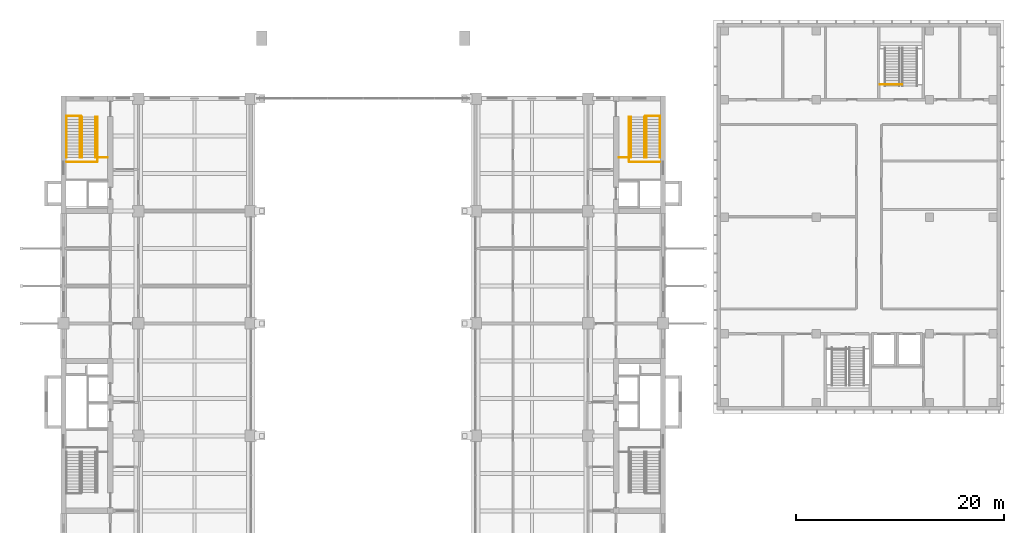
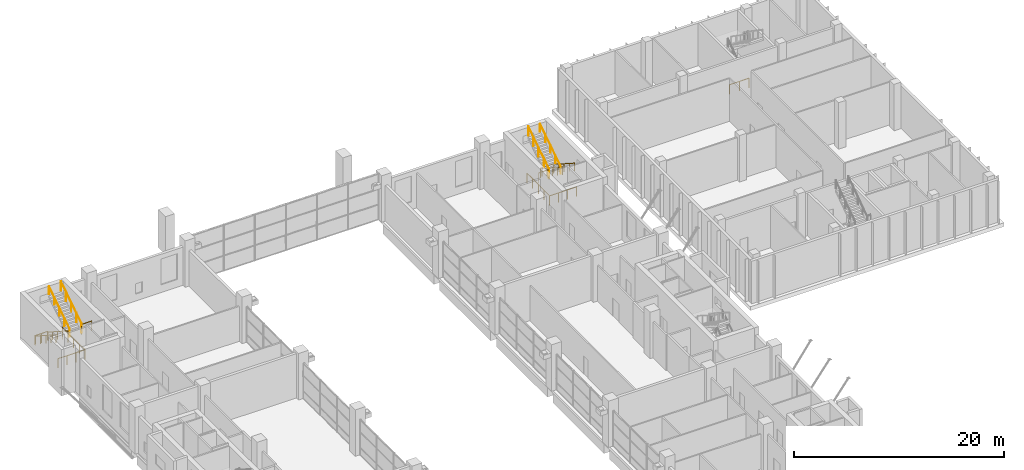
# One storey, part 37 of 38: 15 railings.
"""IFC4 building model written with IfcOpenShell, lengths in metres."""

from ifc_helpers import new_model, si_unit, direction, frame, origin, origin_2d, place, context, subcontext, project, spatial, circle, extrude, material, type_object, element, save


model = new_model("IFC4")

# Units and contexts
model_context = context("Model", 3, precision=1e-05, world=origin(), true_north=direction((0.0, 1.0)))
body_context = subcontext(model_context, "Body", "Model", "MODEL_VIEW")
ifc_project = project(units=[si_unit("LENGTHUNIT", "METRE"), si_unit("AREAUNIT", "SQUARE_METRE"), si_unit("VOLUMEUNIT", "CUBIC_METRE"), si_unit("PLANEANGLEUNIT", "RADIAN"), si_unit("MASSUNIT", "GRAM", prefix="KILO")], contexts=[model_context])

# Site, building, storey
site_placement = place(None, origin())
site = spatial("IfcSite", under=ifc_project, at=site_placement, CompositionType="ELEMENT")
building_placement = place(site_placement, origin())
building = spatial("IfcBuilding", under=site, at=building_placement, Name="Basin Gate Institute", CompositionType="ELEMENT")
storey_placement = place(building_placement, frame((0.0, 0.0, 16.800048828125)))
storey = spatial("IfcBuildingStorey", under=building, at=storey_placement, Name="L03", CompositionType="ELEMENT", Elevation=16.800048828125)

# Railings
ifc_material_1 = material(Name="Stainless steel tube and glass infill", Category="steel")
railing_type_1 = type_object("IfcRailingType", Name="Block railing 1100", PredefinedType="GUARDRAIL", material=ifc_material_1)
railing_1_placement = place(storey_placement, frame((139.625, 101.2451171875, 0.0)))
element("IfcRailing", 1, at=railing_1_placement, inside=storey, type_object=railing_type_1, material=ifc_material_1, Name="Guard stairwell ST-C7 L03", PredefinedType="GUARDRAIL", context=body_context, shape_type="SweptSolid", body=[
    extrude(circle(Radius=0.02392578125, at=origin_2d()), frame((0.0, 0.0, 1.076171875), z_axis=(1.0, 0.0, 0.0), x_axis=(0.0, 1.0, 0.0)), (0.0, 0.0, 1.0), 2.125),
    extrude(circle(Radius=0.02099609375, at=origin_2d()), origin(), (0.0, 0.0, 1.0), 1.052001953125),
    extrude(circle(Radius=0.02099609375, at=origin_2d()), frame((1.0625, 0.0, 0.0)), (0.0, 0.0, 1.0), 1.052001953125),
    extrude(circle(Radius=0.02099609375, at=origin_2d()), frame((2.125, 0.0, 0.0)), (0.0, 0.0, 1.0), 1.052001953125),
])
ifc_material_2 = material(Name="Stainless steel", Category="steel")
railing_type_2 = type_object("IfcRailingType", Name="Stair guard GR1", PredefinedType="GUARDRAIL", material=ifc_material_2)
railing_2_placement = place(storey_placement, frame((64.449951171875, 98.14990234375, 0.0)))
element("IfcRailing", 2, at=railing_2_placement, inside=storey, type_object=railing_type_2, material=ifc_material_2, Name="Stair guard GR1 WN GD3-L02", PredefinedType="GUARDRAIL", context=body_context, shape_type="SweptSolid", body=[
    extrude(circle(Radius=0.02392578125, at=origin_2d()), frame((0.0, 0.0, 1.076171875), z_axis=(0.0, -1.0, 0.0), x_axis=(1.0, 0.0, 0.0)), (0.0, 0.0, 1.0), 4.31982421875),
    extrude(circle(Radius=0.02392578125, at=origin_2d()), frame((0.0, -4.31982421875, 1.076171875), z_axis=(-1.0, 0.0, 0.0), x_axis=(0.0, -1.0, 0.0)), (0.0, 0.0, 1.0), 2.949951171875),
    extrude(circle(Radius=0.02099609375, at=origin_2d()), origin(), (0.0, 0.0, 1.0), 1.052001953125),
    extrude(circle(Radius=0.02099609375, at=origin_2d()), frame((0.0, -1.080078125, 0.0)), (0.0, 0.0, 1.0), 1.052001953125),
    extrude(circle(Radius=0.02099609375, at=origin_2d()), frame((0.0, -2.159912109375, 0.0)), (0.0, 0.0, 1.0), 1.052001953125),
    extrude(circle(Radius=0.02099609375, at=origin_2d()), frame((0.0, -3.23974609375, 0.0)), (0.0, 0.0, 1.0), 1.052001953125),
    extrude(circle(Radius=0.02099609375, at=origin_2d()), frame((0.0, -4.31982421875, 0.0)), (0.0, 0.0, 1.0), 1.052001953125),
    extrude(circle(Radius=0.02099609375, at=origin_2d()), frame((-0.9833984375, -4.31982421875, 0.0)), (0.0, 0.0, 1.0), 1.052001953125),
    extrude(circle(Radius=0.02099609375, at=origin_2d()), frame((-1.966552734375, -4.31982421875, 0.0)), (0.0, 0.0, 1.0), 1.052001953125),
    extrude(circle(Radius=0.02099609375, at=origin_2d()), frame((-2.949951171875, -4.31982421875, 0.0)), (0.0, 0.0, 1.0), 1.052001953125),
])
railing_3_placement = place(storey_placement, frame((61.5, 98.22998046875, 0.0)))
element("IfcRailing", 3, at=railing_3_placement, inside=storey, type_object=railing_type_2, material=ifc_material_2, Name="Stair guard GR1 WN GD4-L02", PredefinedType="GUARDRAIL", context=body_context, shape_type="SweptSolid", body=[
    extrude(circle(Radius=0.02392578125, at=origin_2d()), frame((0.0, 0.0, 1.076171875), z_axis=(1.0, 0.0, 0.0), x_axis=(0.0, 1.0, 0.0)), (0.0, 0.0, 1.0), 1.39990234375),
    extrude(circle(Radius=0.02099609375, at=origin_2d()), origin(), (0.0, 0.0, 1.0), 1.052001953125),
    extrude(circle(Radius=0.02099609375, at=origin_2d()), frame((0.699951171875, 0.0, 0.0)), (0.0, 0.0, 1.0), 1.052001953125),
    extrude(circle(Radius=0.02099609375, at=origin_2d()), frame((1.39990234375, 0.0, 0.0)), (0.0, 0.0, 1.0), 1.052001953125),
])
railing_4_placement = place(storey_placement, frame((115.550048828125, 98.14990234375, 0.0)))
element("IfcRailing", 4, at=railing_4_placement, inside=storey, type_object=railing_type_2, material=ifc_material_2, Name="Stair guard GR1 EN GD3-L02", PredefinedType="GUARDRAIL", context=body_context, shape_type="SweptSolid", body=[
    extrude(circle(Radius=0.02392578125, at=origin_2d()), frame((0.0, 0.0, 1.076171875), z_axis=(0.0, -1.0, 0.0), x_axis=(1.0, 0.0, 0.0)), (0.0, 0.0, 1.0), 4.31982421875),
    extrude(circle(Radius=0.02392578125, at=origin_2d()), frame((0.0, -4.31982421875, 1.076171875), z_axis=(1.0, 0.0, 0.0), x_axis=(0.0, 1.0, 0.0)), (0.0, 0.0, 1.0), 2.949951171875),
    extrude(circle(Radius=0.02099609375, at=origin_2d()), origin(), (0.0, 0.0, 1.0), 1.052001953125),
    extrude(circle(Radius=0.02099609375, at=origin_2d()), frame((0.0, -1.080078125, 0.0)), (0.0, 0.0, 1.0), 1.052001953125),
    extrude(circle(Radius=0.02099609375, at=origin_2d()), frame((0.0, -2.159912109375, 0.0)), (0.0, 0.0, 1.0), 1.052001953125),
    extrude(circle(Radius=0.02099609375, at=origin_2d()), frame((0.0, -3.23974609375, 0.0)), (0.0, 0.0, 1.0), 1.052001953125),
    extrude(circle(Radius=0.02099609375, at=origin_2d()), frame((0.0, -4.31982421875, 0.0)), (0.0, 0.0, 1.0), 1.052001953125),
    extrude(circle(Radius=0.02099609375, at=origin_2d()), frame((0.9833984375, -4.31982421875, 0.0)), (0.0, 0.0, 1.0), 1.052001953125),
    extrude(circle(Radius=0.02099609375, at=origin_2d()), frame((1.966552734375, -4.31982421875, 0.0)), (0.0, 0.0, 1.0), 1.052001953125),
    extrude(circle(Radius=0.02099609375, at=origin_2d()), frame((2.949951171875, -4.31982421875, 0.0)), (0.0, 0.0, 1.0), 1.052001953125),
])
railing_5_placement = place(storey_placement, frame((118.5, 98.22998046875, 0.0)))
element("IfcRailing", 5, at=railing_5_placement, inside=storey, type_object=railing_type_2, material=ifc_material_2, Name="Stair guard GR1 EN GD4-L02", PredefinedType="GUARDRAIL", context=body_context, shape_type="SweptSolid", body=[
    extrude(circle(Radius=0.02392578125, at=origin_2d()), frame((0.0, 0.0, 1.076171875), z_axis=(-1.0, 0.0, 0.0), x_axis=(0.0, -1.0, 0.0)), (0.0, 0.0, 1.0), 1.39990234375),
    extrude(circle(Radius=0.02099609375, at=origin_2d()), origin(), (0.0, 0.0, 1.0), 1.052001953125),
    extrude(circle(Radius=0.02099609375, at=origin_2d()), frame((-0.699951171875, 0.0, 0.0)), (0.0, 0.0, 1.0), 1.052001953125),
    extrude(circle(Radius=0.02099609375, at=origin_2d()), frame((-1.39990234375, 0.0, 0.0)), (0.0, 0.0, 1.0), 1.052001953125),
])
for number, where, name in (
    (6, (64.300048828125, 94.22998046875, 2.8798828125), "Stair guard GR1 WN GD1"),
    (7, (115.699951171875, 94.22998046875, 2.8798828125), "Stair guard GR1 EN GD1"),
):
    element("IfcRailing", number, at=place(storey_placement, frame(where)), inside=storey, type_object=railing_type_2, material=ifc_material_2, Name=name, PredefinedType="GUARDRAIL", context=body_context, shape_type="SweptSolid", body=[
        extrude(circle(Radius=0.02392578125, at=origin_2d()), frame((0.0, 0.0, 1.076171875), z_axis=(0.0, 0.841171666519, 0.540768182723), x_axis=(-1.0, 0.0, 0.0)), (0.0, 0.0, 1.0), 4.66015625),
        extrude(circle(Radius=0.02099609375, at=origin_2d()), origin(), (0.0, 0.0, 1.0), 1.052001953125),
        extrude(circle(Radius=0.02099609375, at=origin_2d()), frame((0.0, 0.97998046875, 0.6298828125)), (0.0, 0.0, 1.0), 1.052001953125),
        extrude(circle(Radius=0.02099609375, at=origin_2d()), frame((0.0, 1.9599609375, 1.260009765625)), (0.0, 0.0, 1.0), 1.052001953125),
        extrude(circle(Radius=0.02099609375, at=origin_2d()), frame((0.0, 2.93994140625, 1.89013671875)), (0.0, 0.0, 1.0), 1.052001953125),
        extrude(circle(Radius=0.02099609375, at=origin_2d()), frame((0.0, 3.919921875, 2.52001953125)), (0.0, 0.0, 1.0), 1.052001953125),
    ])
ifc_material_3 = material(Name="Stainless steel", Category="steel")
railing_type_3 = type_object("IfcRailingType", Name="Stair guard GR3", PredefinedType="GUARDRAIL", material=ifc_material_3)
railing_6_placement = place(storey_placement, frame((64.300048828125, 94.22998046875, 2.699951171875)))
element("IfcRailing", 8, at=railing_6_placement, inside=storey, type_object=railing_type_3, material=ifc_material_3, Name="Stair guard GR3 WN GD2", PredefinedType="GUARDRAIL", context=body_context, shape_type="SweptSolid", body=[
    extrude(circle(Radius=0.02392578125, at=origin_2d()), frame((0.0, 0.0, 1.1259765625), z_axis=(1.0, 0.0, 0.0), x_axis=(0.0, 1.0, 0.0)), (0.0, 0.0, 1.0), 1.119873046875),
    extrude(circle(Radius=0.02099609375, at=origin_2d()), origin(), (0.0, 0.0, 1.0), 1.101806640625),
    extrude(circle(Radius=0.02099609375, at=origin_2d()), frame((1.119873046875, 0.0, 0.0)), (0.0, 0.0, 1.0), 1.101806640625),
])
railing_7_placement = place(storey_placement, frame((115.699951171875, 94.22998046875, 2.699951171875)))
element("IfcRailing", 9, at=railing_7_placement, inside=storey, type_object=railing_type_3, material=ifc_material_3, Name="Stair guard GR3 EN GD2", PredefinedType="GUARDRAIL", context=body_context, shape_type="SweptSolid", body=[
    extrude(circle(Radius=0.02392578125, at=origin_2d()), frame((0.0, 0.0, 1.1259765625), z_axis=(-1.0, 0.0, 0.0), x_axis=(0.0, -1.0, 0.0)), (0.0, 0.0, 1.0), 1.119873046875),
    extrude(circle(Radius=0.02099609375, at=origin_2d()), origin(), (0.0, 0.0, 1.0), 1.101806640625),
    extrude(circle(Radius=0.02099609375, at=origin_2d()), frame((-1.119873046875, 0.0, 0.0)), (0.0, 0.0, 1.0), 1.101806640625),
])
ifc_material_4 = material(Name="Stainless steel", Category="steel")
railing_type_4 = type_object("IfcRailingType", Name="Stair handrail HR1", PredefinedType="HANDRAIL", material=ifc_material_4)
for number, where, name in (
    (10, (61.5, 98.14990234375, 0.179931640625), "Stair handrail HR1 WN HR1"),
    (11, (62.800048828125, 98.14990234375, 0.179931640625), "Stair handrail HR1 WN HR2"),
):
    element("IfcRailing", number, at=place(storey_placement, frame(where)), inside=storey, type_object=railing_type_4, material=ifc_material_4, Name=name, PredefinedType="HANDRAIL", context=body_context, shape_type="SweptSolid", body=[
        extrude(circle(Radius=0.02392578125, at=origin_2d()), frame((0.0, 0.0, 0.89599609375), z_axis=(0.0, -0.841171666519, 0.540768182723), x_axis=(1.0, 0.0, 0.0)), (0.0, 0.0, 1.0), 4.66015625),
        extrude(circle(Radius=0.02099609375, at=origin_2d()), origin(), (0.0, 0.0, 1.0), 0.871826171875),
        extrude(circle(Radius=0.02099609375, at=origin_2d()), frame((0.0, -0.97998046875, 0.6298828125)), (0.0, 0.0, 1.0), 0.871826171875),
        extrude(circle(Radius=0.02099609375, at=origin_2d()), frame((0.0, -1.9599609375, 1.260009765625)), (0.0, 0.0, 1.0), 0.871826171875),
        extrude(circle(Radius=0.02099609375, at=origin_2d()), frame((0.0, -2.93994140625, 1.89013671875)), (0.0, 0.0, 1.0), 0.871826171875),
        extrude(circle(Radius=0.02099609375, at=origin_2d()), frame((0.0, -3.919921875, 2.52001953125)), (0.0, 0.0, 1.0), 0.871826171875),
    ])
railing_8_placement = place(storey_placement, frame((63.0, 94.22998046875, 2.8798828125)))
element("IfcRailing", 12, at=railing_8_placement, inside=storey, type_object=railing_type_4, material=ifc_material_4, Name="Stair handrail HR1 WN HR3", PredefinedType="HANDRAIL", context=body_context, shape_type="SweptSolid", body=[
    extrude(circle(Radius=0.02392578125, at=origin_2d()), frame((0.0, 0.0, 0.89599609375), z_axis=(0.0, 0.841171666519, 0.540768182723), x_axis=(-1.0, 0.0, 0.0)), (0.0, 0.0, 1.0), 4.66015625),
    extrude(circle(Radius=0.02099609375, at=origin_2d()), origin(), (0.0, 0.0, 1.0), 0.871826171875),
    extrude(circle(Radius=0.02099609375, at=origin_2d()), frame((0.0, 0.97998046875, 0.6298828125)), (0.0, 0.0, 1.0), 0.871826171875),
    extrude(circle(Radius=0.02099609375, at=origin_2d()), frame((0.0, 1.9599609375, 1.260009765625)), (0.0, 0.0, 1.0), 0.871826171875),
    extrude(circle(Radius=0.02099609375, at=origin_2d()), frame((0.0, 2.93994140625, 1.89013671875)), (0.0, 0.0, 1.0), 0.871826171875),
    extrude(circle(Radius=0.02099609375, at=origin_2d()), frame((0.0, 3.919921875, 2.52001953125)), (0.0, 0.0, 1.0), 0.871826171875),
])
for number, where, name in (
    (13, (118.5, 98.14990234375, 0.179931640625), "Stair handrail HR1 EN HR1"),
    (14, (117.199951171875, 98.14990234375, 0.179931640625), "Stair handrail HR1 EN HR2"),
):
    element("IfcRailing", number, at=place(storey_placement, frame(where)), inside=storey, type_object=railing_type_4, material=ifc_material_4, Name=name, PredefinedType="HANDRAIL", context=body_context, shape_type="SweptSolid", body=[
        extrude(circle(Radius=0.02392578125, at=origin_2d()), frame((0.0, 0.0, 0.89599609375), z_axis=(0.0, -0.841171666519, 0.540768182723), x_axis=(1.0, 0.0, 0.0)), (0.0, 0.0, 1.0), 4.66015625),
        extrude(circle(Radius=0.02099609375, at=origin_2d()), origin(), (0.0, 0.0, 1.0), 0.871826171875),
        extrude(circle(Radius=0.02099609375, at=origin_2d()), frame((0.0, -0.97998046875, 0.6298828125)), (0.0, 0.0, 1.0), 0.871826171875),
        extrude(circle(Radius=0.02099609375, at=origin_2d()), frame((0.0, -1.9599609375, 1.260009765625)), (0.0, 0.0, 1.0), 0.871826171875),
        extrude(circle(Radius=0.02099609375, at=origin_2d()), frame((0.0, -2.93994140625, 1.89013671875)), (0.0, 0.0, 1.0), 0.871826171875),
        extrude(circle(Radius=0.02099609375, at=origin_2d()), frame((0.0, -3.919921875, 2.52001953125)), (0.0, 0.0, 1.0), 0.871826171875),
    ])
railing_9_placement = place(storey_placement, frame((117.0, 94.22998046875, 2.8798828125)))
element("IfcRailing", 15, at=railing_9_placement, inside=storey, type_object=railing_type_4, material=ifc_material_4, Name="Stair handrail HR1 EN HR3", PredefinedType="HANDRAIL", context=body_context, shape_type="SweptSolid", body=[
    extrude(circle(Radius=0.02392578125, at=origin_2d()), frame((0.0, 0.0, 0.89599609375), z_axis=(0.0, 0.841171666519, 0.540768182723), x_axis=(-1.0, 0.0, 0.0)), (0.0, 0.0, 1.0), 4.66015625),
    extrude(circle(Radius=0.02099609375, at=origin_2d()), origin(), (0.0, 0.0, 1.0), 0.871826171875),
    extrude(circle(Radius=0.02099609375, at=origin_2d()), frame((0.0, 0.97998046875, 0.6298828125)), (0.0, 0.0, 1.0), 0.871826171875),
    extrude(circle(Radius=0.02099609375, at=origin_2d()), frame((0.0, 1.9599609375, 1.260009765625)), (0.0, 0.0, 1.0), 0.871826171875),
    extrude(circle(Radius=0.02099609375, at=origin_2d()), frame((0.0, 2.93994140625, 1.89013671875)), (0.0, 0.0, 1.0), 0.871826171875),
    extrude(circle(Radius=0.02099609375, at=origin_2d()), frame((0.0, 3.919921875, 2.52001953125)), (0.0, 0.0, 1.0), 0.871826171875),
])

save(model, "model.ifc")
